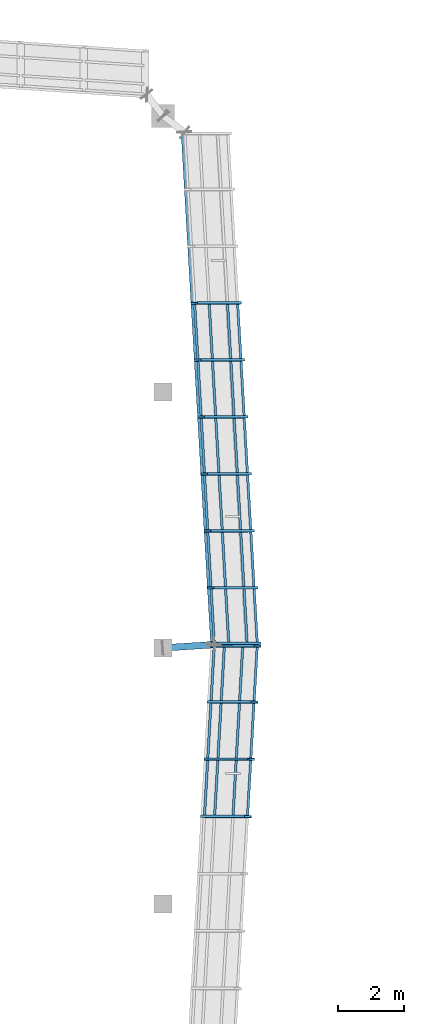
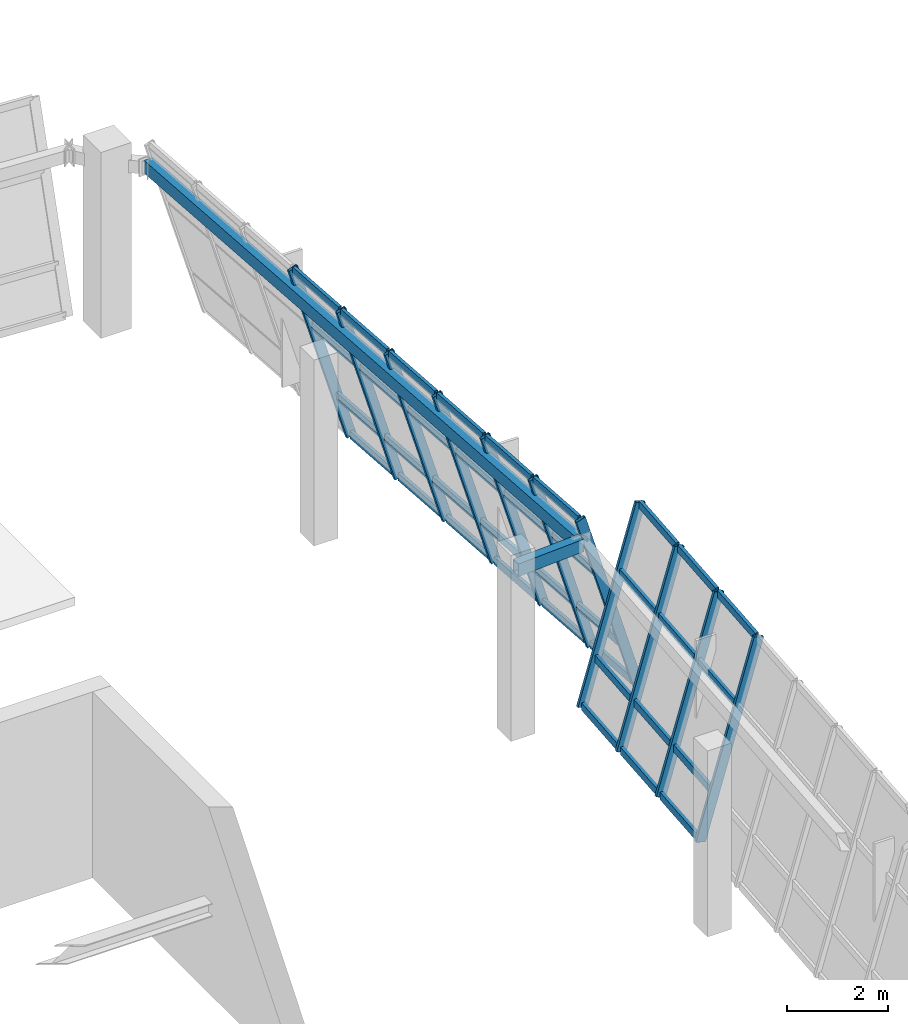
# One storey, part 23 of 67: 47 members, 2 beams, 2 elements without a shape of their own.
"""IFC4 building model written with IfcOpenShell, lengths in metres."""

from ifc_helpers import new_model, si_unit, direction, frame, origin, origin_2d, place, context, subcontext, project, spatial, hollow_rectangle, extrude, material, material_profile, profile_set, type_object, element, aggregate, save


model = new_model("IFC4")

# Units and contexts
model_context = context("Model", 3, precision=1e-05, world=origin(), true_north=direction((0.0, 1.0)))
body_context = subcontext(model_context, "Body", "Model", "MODEL_VIEW")
ifc_project = project(units=[si_unit("LENGTHUNIT", "METRE"), si_unit("AREAUNIT", "SQUARE_METRE"), si_unit("VOLUMEUNIT", "CUBIC_METRE"), si_unit("PLANEANGLEUNIT", "RADIAN"), si_unit("MASSUNIT", "GRAM", prefix="KILO")], contexts=[model_context])

# Site, building, storey
site_placement = place(None, origin())
site = spatial("IfcSite", under=ifc_project, at=site_placement, CompositionType="ELEMENT")
building_placement = place(site_placement, origin())
building = spatial("IfcBuilding", under=site, at=building_placement, Name="Pellamere Symphony Hall", CompositionType="ELEMENT")
storey_placement = place(building_placement, frame((0.0, 0.0, 19.5)))
storey = spatial("IfcBuildingStorey", under=building, at=storey_placement, Name="L04", CompositionType="ELEMENT", Elevation=19.5)

# Curtain wall, members
ifc_material_1 = material(Name="Thermally Broken Anodised Aluminium 6063-T6 Curtain Wall", Category="aluminium")
curtain_wall_type = type_object("IfcCurtainWallType", Name="Curtain Wall CW-01 (Tilted Faceted Crystal Low-Iron Curtain Wall)", PredefinedType="NOTDEFINED", material=ifc_material_1)
curtain_wall_1_placement = place(storey_placement, origin())
curtain_wall_1 = element("IfcCurtainWall", 1, at=curtain_wall_1_placement, inside=storey, type_object=curtain_wall_type, Name="Crystal Faceted Curtain Wall CW-CR08 (L04)", PredefinedType="NOTDEFINED")
ifc_material_2 = material(Name="Anodised Architectural Aluminium 6063-T6", Category="aluminium")
ifc_material_profile_1 = material_profile(ifc_material_2, hollow_rectangle(XDim=0.074951171875, YDim=0.219970703125, WallThickness=0.0048828125, at=origin_2d()), Name="ALU-M75X220X5")
ifc_profile_set_1 = profile_set([ifc_material_profile_1], Name="Anodised Architectural Aluminium 6063-T6")
member_type_1 = type_object("IfcMemberType", Name="Curtain Wall Mullion ML-01 ALU-M75X220X5", PredefinedType="MULLION", material=ifc_profile_set_1)
member_1_placement = place(storey_placement, frame((120.050048828125, 72.2666015625, 0.0), z_axis=(0.284024567884, 0.0, 0.95881700279), x_axis=(-0.054873944304, -0.99836096977, 0.016254976991)))
member_1 = element("IfcMember", 2, at=member_1_placement, type_object=member_type_1, Name="CW1-016 crystal mullion 7", PredefinedType="MULLION", context=body_context, shape_type="SweptSolid", body=[
    extrude(hollow_rectangle(XDim=0.074951171875, YDim=0.219970703125, WallThickness=0.0048828125, at=origin_2d()), origin(), (0.0, 0.0, 1.0), 4.693359375),
])
member_2_placement = place(storey_placement, frame((120.14990234375, 74.01123046875, 0.0), z_axis=(0.284024567884, 0.0, 0.95881700279), x_axis=(-0.054873944304, -0.99836096977, 0.016254976991)))
member_2 = element("IfcMember", 3, at=member_2_placement, type_object=member_type_1, Name="CW1-016 crystal mullion 8", PredefinedType="MULLION", context=body_context, shape_type="SweptSolid", body=[
    extrude(hollow_rectangle(XDim=0.074951171875, YDim=0.219970703125, WallThickness=0.0048828125, at=origin_2d()), origin(), (0.0, 0.0, 1.0), 4.693359375),
])
member_3_placement = place(storey_placement, frame((120.25, 75.755615234375, 0.0), z_axis=(0.284024567884, 0.0, 0.95881700279), x_axis=(-0.054873944304, -0.99836096977, 0.016254976991)))
member_3 = element("IfcMember", 4, at=member_3_placement, type_object=member_type_1, Name="CW1-016 crystal mullion 9", PredefinedType="MULLION", context=body_context, shape_type="SweptSolid", body=[
    extrude(hollow_rectangle(XDim=0.074951171875, YDim=0.219970703125, WallThickness=0.0048828125, at=origin_2d()), origin(), (0.0, 0.0, 1.0), 4.693359375),
])
member_4_placement = place(storey_placement, frame((120.347900390625, 77.462646484375, 0.0), z_axis=(0.284024567884, 0.0, 0.95881700279), x_axis=(-0.054873944304, -0.99836096977, 0.016254976991)))
member_4 = element("IfcMember", 5, at=member_4_placement, type_object=member_type_1, Name="CW1-016 crystal mullion 10", PredefinedType="MULLION", context=body_context, shape_type="SweptSolid", body=[
    extrude(hollow_rectangle(XDim=0.074951171875, YDim=0.219970703125, WallThickness=0.0048828125, at=origin_2d()), origin(), (0.0, 0.0, 1.0), 4.693359375),
])

curtain_wall_2_placement = place(storey_placement, origin())
curtain_wall_2 = element("IfcCurtainWall", 6, at=curtain_wall_2_placement, inside=storey, type_object=curtain_wall_type, Name="Crystal Faceted Curtain Wall CW-CR09 (L04)", PredefinedType="NOTDEFINED")
member_5_placement = place(storey_placement, frame((121.680908203125, 77.537353515625, 0.0), z_axis=(-0.284024567884, 0.0, 0.95881700279), x_axis=(-0.055224537145, 0.998339941676, -0.01635883099)))
member_5 = element("IfcMember", 7, at=member_5_placement, type_object=member_type_1, Name="CW1-021 crystal mullion 1", PredefinedType="MULLION", context=body_context, shape_type="SweptSolid", body=[
    extrude(hollow_rectangle(XDim=0.074951171875, YDim=0.219970703125, WallThickness=0.0048828125, at=origin_2d()), origin(), (0.0, 0.0, 1.0), 4.693359375),
])
member_6_placement = place(storey_placement, frame((121.5830078125, 79.2333984375, 0.0), z_axis=(-0.284024567884, 0.0, 0.95881700279), x_axis=(-0.055224537145, 0.998339941676, -0.01635883099)))
member_6 = element("IfcMember", 8, at=member_6_placement, type_object=member_type_1, Name="CW1-021 crystal mullion 2", PredefinedType="MULLION", context=body_context, shape_type="SweptSolid", body=[
    extrude(hollow_rectangle(XDim=0.074951171875, YDim=0.219970703125, WallThickness=0.0048828125, at=origin_2d()), origin(), (0.0, 0.0, 1.0), 4.693359375),
])
member_7_placement = place(storey_placement, frame((121.48291015625, 80.966552734375, 0.0), z_axis=(-0.284024567884, 0.0, 0.95881700279), x_axis=(-0.055224537145, 0.998339941676, -0.01635883099)))
member_7 = element("IfcMember", 9, at=member_7_placement, type_object=member_type_1, Name="CW1-021 crystal mullion 3", PredefinedType="MULLION", context=body_context, shape_type="SweptSolid", body=[
    extrude(hollow_rectangle(XDim=0.074951171875, YDim=0.219970703125, WallThickness=0.0048828125, at=origin_2d()), origin(), (0.0, 0.0, 1.0), 4.693359375),
])
member_8_placement = place(storey_placement, frame((121.383056640625, 82.699951171875, 0.0), z_axis=(-0.284024567884, 0.0, 0.95881700279), x_axis=(-0.055224537145, 0.998339941676, -0.01635883099)))
member_8 = element("IfcMember", 10, at=member_8_placement, type_object=member_type_1, Name="CW1-021 crystal mullion 4", PredefinedType="MULLION", context=body_context, shape_type="SweptSolid", body=[
    extrude(hollow_rectangle(XDim=0.074951171875, YDim=0.219970703125, WallThickness=0.0048828125, at=origin_2d()), origin(), (0.0, 0.0, 1.0), 4.693359375),
])
member_9_placement = place(storey_placement, frame((121.282958984375, 84.433349609375, 0.0), z_axis=(-0.284024567884, 0.0, 0.95881700279), x_axis=(-0.055224537145, 0.998339941676, -0.01635883099)))
member_9 = element("IfcMember", 11, at=member_9_placement, type_object=member_type_1, Name="CW1-021 crystal mullion 5", PredefinedType="MULLION", context=body_context, shape_type="SweptSolid", body=[
    extrude(hollow_rectangle(XDim=0.074951171875, YDim=0.219970703125, WallThickness=0.0048828125, at=origin_2d()), origin(), (0.0, 0.0, 1.0), 4.693359375),
])
member_10_placement = place(storey_placement, frame((121.18310546875, 86.166748046875, 0.0), z_axis=(-0.284024567884, 0.0, 0.95881700279), x_axis=(-0.055224537145, 0.998339941676, -0.01635883099)))
member_10 = element("IfcMember", 12, at=member_10_placement, type_object=member_type_1, Name="CW1-021 crystal mullion 6", PredefinedType="MULLION", context=body_context, shape_type="SweptSolid", body=[
    extrude(hollow_rectangle(XDim=0.074951171875, YDim=0.219970703125, WallThickness=0.0048828125, at=origin_2d()), origin(), (0.0, 0.0, 1.0), 4.693359375),
])
member_11_placement = place(storey_placement, frame((121.0830078125, 87.89990234375, 0.0), z_axis=(-0.284024567884, 0.0, 0.95881700279), x_axis=(-0.055224537145, 0.998339941676, -0.01635883099)))
member_11 = element("IfcMember", 13, at=member_11_placement, type_object=member_type_1, Name="CW1-021 crystal mullion 7", PredefinedType="MULLION", context=body_context, shape_type="SweptSolid", body=[
    extrude(hollow_rectangle(XDim=0.074951171875, YDim=0.219970703125, WallThickness=0.0048828125, at=origin_2d()), origin(), (0.0, 0.0, 1.0), 4.693359375),
])

# Member
ifc_material_profile_2 = material_profile(ifc_material_2, hollow_rectangle(XDim=0.074951171875, YDim=0.179931640625, WallThickness=0.0048828125, at=origin_2d()), Name="ALU-T75X180X5")
ifc_profile_set_2 = profile_set([ifc_material_profile_2], Name="Anodised Architectural Aluminium 6063-T6")
member_type_2 = type_object("IfcMemberType", Name="Curtain Wall Transom TR-01 ALU-T75X180X5", PredefinedType="USERDEFINED", material=ifc_profile_set_2)
member_12_placement = place(storey_placement, frame((120.062744140625, 72.30419921875, 0.035888671875), z_axis=(0.057232737422, 0.998360863499, 0.0), x_axis=(-0.998360863499, 0.057232737422, 0.0)))
member_12 = element("IfcMember", 14, at=member_12_placement, type_object=member_type_2, Name="CW1-016 crystal transom 7.1", ObjectType="TRANSOM", PredefinedType="USERDEFINED", context=body_context, shape_type="SweptSolid", body=[
    extrude(hollow_rectangle(XDim=0.074951171875, YDim=0.179931640625, WallThickness=0.0048828125, at=origin_2d()), origin(), (0.0, 0.0, 1.0), 1.672119140625),
])

member_13_placement = place(storey_placement, frame((120.3720703125, 72.30419921875, 1.080078125), z_axis=(0.057232737422, 0.998360863499, 0.0), x_axis=(-0.998360863499, 0.057232737422, 0.0)))
member_13 = element("IfcMember", 15, at=member_13_placement, type_object=member_type_2, Name="CW1-016 crystal transom 7.2", ObjectType="TRANSOM", PredefinedType="USERDEFINED", context=body_context, shape_type="SweptSolid", body=[
    extrude(hollow_rectangle(XDim=0.074951171875, YDim=0.179931640625, WallThickness=0.0048828125, at=origin_2d()), origin(), (0.0, 0.0, 1.0), 1.672119140625),
])

member_14_placement = place(storey_placement, frame((120.931884765625, 72.30419921875, 2.969970703125), z_axis=(0.057232737422, 0.998360863499, 0.0), x_axis=(-0.998360863499, 0.057232737422, 0.0)))
member_14 = element("IfcMember", 16, at=member_14_placement, type_object=member_type_2, Name="CW1-016 crystal transom 7.3", ObjectType="TRANSOM", PredefinedType="USERDEFINED", context=body_context, shape_type="SweptSolid", body=[
    extrude(hollow_rectangle(XDim=0.074951171875, YDim=0.179931640625, WallThickness=0.0048828125, at=origin_2d()), origin(), (0.0, 0.0, 1.0), 1.672119140625),
])

member_15_placement = place(storey_placement, frame((121.37451171875, 72.30419921875, 4.464111328125), z_axis=(0.057232737422, 0.998360863499, 0.0), x_axis=(-0.998360863499, 0.057232737422, 0.0)))
member_15 = element("IfcMember", 17, at=member_15_placement, type_object=member_type_2, Name="CW1-016 crystal transom 7.4", ObjectType="TRANSOM", PredefinedType="USERDEFINED", context=body_context, shape_type="SweptSolid", body=[
    extrude(hollow_rectangle(XDim=0.074951171875, YDim=0.179931640625, WallThickness=0.0048828125, at=origin_2d()), origin(), (0.0, 0.0, 1.0), 1.672119140625),
])

member_16_placement = place(storey_placement, frame((120.162841796875, 74.048583984375, 0.035888671875), z_axis=(0.057232737422, 0.998360863499, 0.0), x_axis=(-0.998360863499, 0.057232737422, 0.0)))
member_16 = element("IfcMember", 18, at=member_16_placement, type_object=member_type_2, Name="CW1-016 crystal transom 8.1", ObjectType="TRANSOM", PredefinedType="USERDEFINED", context=body_context, shape_type="SweptSolid", body=[
    extrude(hollow_rectangle(XDim=0.074951171875, YDim=0.179931640625, WallThickness=0.0048828125, at=origin_2d()), origin(), (0.0, 0.0, 1.0), 1.672119140625),
])

member_17_placement = place(storey_placement, frame((120.47216796875, 74.048583984375, 1.080078125), z_axis=(0.057232737422, 0.998360863499, 0.0), x_axis=(-0.998360863499, 0.057232737422, 0.0)))
member_17 = element("IfcMember", 19, at=member_17_placement, type_object=member_type_2, Name="CW1-016 crystal transom 8.2", ObjectType="TRANSOM", PredefinedType="USERDEFINED", context=body_context, shape_type="SweptSolid", body=[
    extrude(hollow_rectangle(XDim=0.074951171875, YDim=0.179931640625, WallThickness=0.0048828125, at=origin_2d()), origin(), (0.0, 0.0, 1.0), 1.672119140625),
])

member_18_placement = place(storey_placement, frame((121.031982421875, 74.048583984375, 2.969970703125), z_axis=(0.057232737422, 0.998360863499, 0.0), x_axis=(-0.998360863499, 0.057232737422, 0.0)))
member_18 = element("IfcMember", 20, at=member_18_placement, type_object=member_type_2, Name="CW1-016 crystal transom 8.3", ObjectType="TRANSOM", PredefinedType="USERDEFINED", context=body_context, shape_type="SweptSolid", body=[
    extrude(hollow_rectangle(XDim=0.074951171875, YDim=0.179931640625, WallThickness=0.0048828125, at=origin_2d()), origin(), (0.0, 0.0, 1.0), 1.672119140625),
])

member_19_placement = place(storey_placement, frame((121.474609375, 74.048583984375, 4.464111328125), z_axis=(0.057232737422, 0.998360863499, 0.0), x_axis=(-0.998360863499, 0.057232737422, 0.0)))
member_19 = element("IfcMember", 21, at=member_19_placement, type_object=member_type_2, Name="CW1-016 crystal transom 8.4", ObjectType="TRANSOM", PredefinedType="USERDEFINED", context=body_context, shape_type="SweptSolid", body=[
    extrude(hollow_rectangle(XDim=0.074951171875, YDim=0.179931640625, WallThickness=0.0048828125, at=origin_2d()), origin(), (0.0, 0.0, 1.0), 1.672119140625),
])

member_20_placement = place(storey_placement, frame((120.2626953125, 75.79296875, 0.035888671875), z_axis=(0.057347500779, 0.998354277877, 0.0), x_axis=(-0.998354277877, 0.057347500779, 0.0)))
member_20 = element("IfcMember", 22, at=member_20_placement, type_object=member_type_2, Name="CW1-016 crystal transom 9.1", ObjectType="TRANSOM", PredefinedType="USERDEFINED", context=body_context, shape_type="SweptSolid", body=[
    extrude(hollow_rectangle(XDim=0.074951171875, YDim=0.179931640625, WallThickness=0.0048828125, at=origin_2d()), origin(), (0.0, 0.0, 1.0), 1.634765625),
])

member_21_placement = place(storey_placement, frame((120.572021484375, 75.79296875, 1.080078125), z_axis=(0.057198647566, 0.998362817175, 0.0), x_axis=(-0.998362817175, 0.057198647566, 0.0)))
member_21 = element("IfcMember", 23, at=member_21_placement, type_object=member_type_2, Name="CW1-016 crystal transom 9.2", ObjectType="TRANSOM", PredefinedType="USERDEFINED", context=body_context, shape_type="SweptSolid", body=[
    extrude(hollow_rectangle(XDim=0.074951171875, YDim=0.179931640625, WallThickness=0.0048828125, at=origin_2d()), origin(), (0.0, 0.0, 1.0), 1.634765625),
])

member_22_placement = place(storey_placement, frame((121.1318359375, 75.79296875, 2.969970703125), z_axis=(0.057347500779, 0.998354277877, 0.0), x_axis=(-0.998354277877, 0.057347500779, 0.0)))
member_22 = element("IfcMember", 24, at=member_22_placement, type_object=member_type_2, Name="CW1-016 crystal transom 9.3", ObjectType="TRANSOM", PredefinedType="USERDEFINED", context=body_context, shape_type="SweptSolid", body=[
    extrude(hollow_rectangle(XDim=0.074951171875, YDim=0.179931640625, WallThickness=0.0048828125, at=origin_2d()), origin(), (0.0, 0.0, 1.0), 1.634765625),
])

member_23_placement = place(storey_placement, frame((121.574462890625, 75.79296875, 4.464111328125), z_axis=(0.057198647566, 0.998362817175, 0.0), x_axis=(-0.998362817175, 0.057198647566, 0.0)))
member_23 = element("IfcMember", 25, at=member_23_placement, type_object=member_type_2, Name="CW1-016 crystal transom 9.4", ObjectType="TRANSOM", PredefinedType="USERDEFINED", context=body_context, shape_type="SweptSolid", body=[
    extrude(hollow_rectangle(XDim=0.074951171875, YDim=0.179931640625, WallThickness=0.0048828125, at=origin_2d()), origin(), (0.0, 0.0, 1.0), 1.634765625),
])

aggregate(curtain_wall_1, [member_1, member_2, member_3, member_4, member_12, member_13, member_14, member_15, member_16, member_17, member_18, member_19, member_20, member_21, member_22, member_23])

member_24_placement = place(storey_placement, frame((121.66796875, 77.574951171875, 0.035888671875), z_axis=(-0.057593652861, 0.998340107954, 0.0), x_axis=(-0.998340107954, -0.057593652861, 0.0)))
member_24 = element("IfcMember", 26, at=member_24_placement, type_object=member_type_2, Name="CW1-021 crystal transom 1.1", ObjectType="TRANSOM", PredefinedType="USERDEFINED", context=body_context, shape_type="SweptSolid", body=[
    extrude(hollow_rectangle(XDim=0.074951171875, YDim=0.179931640625, WallThickness=0.0048828125, at=origin_2d()), origin(), (0.0, 0.0, 1.0), 1.62353515625),
])

member_25_placement = place(storey_placement, frame((121.358642578125, 77.574951171875, 1.080078125), z_axis=(-0.057593652861, 0.998340107954, 0.0), x_axis=(-0.998340107954, -0.057593652861, 0.0)))
member_25 = element("IfcMember", 27, at=member_25_placement, type_object=member_type_2, Name="CW1-021 crystal transom 1.2", ObjectType="TRANSOM", PredefinedType="USERDEFINED", context=body_context, shape_type="SweptSolid", body=[
    extrude(hollow_rectangle(XDim=0.074951171875, YDim=0.179931640625, WallThickness=0.0048828125, at=origin_2d()), origin(), (0.0, 0.0, 1.0), 1.62353515625),
])

member_26_placement = place(storey_placement, frame((120.798828125, 77.574951171875, 2.969970703125), z_axis=(-0.057593652861, 0.998340107954, 0.0), x_axis=(-0.998340107954, -0.057593652861, 0.0)))
member_26 = element("IfcMember", 28, at=member_26_placement, type_object=member_type_2, Name="CW1-021 crystal transom 1.3", ObjectType="TRANSOM", PredefinedType="USERDEFINED", context=body_context, shape_type="SweptSolid", body=[
    extrude(hollow_rectangle(XDim=0.074951171875, YDim=0.179931640625, WallThickness=0.0048828125, at=origin_2d()), origin(), (0.0, 0.0, 1.0), 1.62353515625),
])

member_27_placement = place(storey_placement, frame((120.3564453125, 77.574951171875, 4.464111328125), z_axis=(-0.057743527187, 0.998331450505, 0.0), x_axis=(-0.998331450505, -0.057743527187, 0.0)))
member_27 = element("IfcMember", 29, at=member_27_placement, type_object=member_type_2, Name="CW1-021 crystal transom 1.4", ObjectType="TRANSOM", PredefinedType="USERDEFINED", context=body_context, shape_type="SweptSolid", body=[
    extrude(hollow_rectangle(XDim=0.074951171875, YDim=0.179931640625, WallThickness=0.0048828125, at=origin_2d()), origin(), (0.0, 0.0, 1.0), 1.62353515625),
])

member_28_placement = place(storey_placement, frame((121.570068359375, 79.270751953125, 0.035888671875), z_axis=(-0.057464139598, 0.998347571069, 0.0), x_axis=(-0.998347571069, -0.057464139598, 0.0)))
member_28 = element("IfcMember", 30, at=member_28_placement, type_object=member_type_2, Name="CW1-021 crystal transom 2.1", ObjectType="TRANSOM", PredefinedType="USERDEFINED", context=body_context, shape_type="SweptSolid", body=[
    extrude(hollow_rectangle(XDim=0.074951171875, YDim=0.179931640625, WallThickness=0.0048828125, at=origin_2d()), origin(), (0.0, 0.0, 1.0), 1.6611328125),
])

member_29_placement = place(storey_placement, frame((121.260986328125, 79.270751953125, 1.080078125), z_axis=(-0.057610619545, 0.998339129012, 0.0), x_axis=(-0.998339129012, -0.057610619545, 0.0)))
member_29 = element("IfcMember", 31, at=member_29_placement, type_object=member_type_2, Name="CW1-021 crystal transom 2.2", ObjectType="TRANSOM", PredefinedType="USERDEFINED", context=body_context, shape_type="SweptSolid", body=[
    extrude(hollow_rectangle(XDim=0.074951171875, YDim=0.179931640625, WallThickness=0.0048828125, at=origin_2d()), origin(), (0.0, 0.0, 1.0), 1.6611328125),
])

member_30_placement = place(storey_placement, frame((120.701171875, 79.270751953125, 2.969970703125), z_axis=(-0.057610619545, 0.998339129012, 0.0), x_axis=(-0.998339129012, -0.057610619545, 0.0)))
member_30 = element("IfcMember", 32, at=member_30_placement, type_object=member_type_2, Name="CW1-021 crystal transom 2.3", ObjectType="TRANSOM", PredefinedType="USERDEFINED", context=body_context, shape_type="SweptSolid", body=[
    extrude(hollow_rectangle(XDim=0.074951171875, YDim=0.179931640625, WallThickness=0.0048828125, at=origin_2d()), origin(), (0.0, 0.0, 1.0), 1.6611328125),
])

member_31_placement = place(storey_placement, frame((120.258544921875, 79.270751953125, 4.464111328125), z_axis=(-0.057610619545, 0.998339129012, 0.0), x_axis=(-0.998339129012, -0.057610619545, 0.0)))
member_31 = element("IfcMember", 33, at=member_31_placement, type_object=member_type_2, Name="CW1-021 crystal transom 2.4", ObjectType="TRANSOM", PredefinedType="USERDEFINED", context=body_context, shape_type="SweptSolid", body=[
    extrude(hollow_rectangle(XDim=0.074951171875, YDim=0.179931640625, WallThickness=0.0048828125, at=origin_2d()), origin(), (0.0, 0.0, 1.0), 1.6611328125),
])

member_32_placement = place(storey_placement, frame((121.47021484375, 81.004150390625, 0.035888671875), z_axis=(-0.057610619545, 0.998339129012, 0.0), x_axis=(-0.998339129012, -0.057610619545, 0.0)))
member_32 = element("IfcMember", 34, at=member_32_placement, type_object=member_type_2, Name="CW1-021 crystal transom 3.1", ObjectType="TRANSOM", PredefinedType="USERDEFINED", context=body_context, shape_type="SweptSolid", body=[
    extrude(hollow_rectangle(XDim=0.074951171875, YDim=0.179931640625, WallThickness=0.0048828125, at=origin_2d()), origin(), (0.0, 0.0, 1.0), 1.6611328125),
])

member_33_placement = place(storey_placement, frame((121.160888671875, 81.004150390625, 1.080078125), z_axis=(-0.057610619545, 0.998339129012, 0.0), x_axis=(-0.998339129012, -0.057610619545, 0.0)))
member_33 = element("IfcMember", 35, at=member_33_placement, type_object=member_type_2, Name="CW1-021 crystal transom 3.2", ObjectType="TRANSOM", PredefinedType="USERDEFINED", context=body_context, shape_type="SweptSolid", body=[
    extrude(hollow_rectangle(XDim=0.074951171875, YDim=0.179931640625, WallThickness=0.0048828125, at=origin_2d()), origin(), (0.0, 0.0, 1.0), 1.6611328125),
])

member_34_placement = place(storey_placement, frame((120.60107421875, 81.004150390625, 2.969970703125), z_axis=(-0.057610619545, 0.998339129012, 0.0), x_axis=(-0.998339129012, -0.057610619545, 0.0)))
member_34 = element("IfcMember", 36, at=member_34_placement, type_object=member_type_2, Name="CW1-021 crystal transom 3.3", ObjectType="TRANSOM", PredefinedType="USERDEFINED", context=body_context, shape_type="SweptSolid", body=[
    extrude(hollow_rectangle(XDim=0.074951171875, YDim=0.179931640625, WallThickness=0.0048828125, at=origin_2d()), origin(), (0.0, 0.0, 1.0), 1.6611328125),
])

member_35_placement = place(storey_placement, frame((120.158447265625, 81.004150390625, 4.464111328125), z_axis=(-0.057610619545, 0.998339129012, 0.0), x_axis=(-0.998339129012, -0.057610619545, 0.0)))
member_35 = element("IfcMember", 37, at=member_35_placement, type_object=member_type_2, Name="CW1-021 crystal transom 3.4", ObjectType="TRANSOM", PredefinedType="USERDEFINED", context=body_context, shape_type="SweptSolid", body=[
    extrude(hollow_rectangle(XDim=0.074951171875, YDim=0.179931640625, WallThickness=0.0048828125, at=origin_2d()), origin(), (0.0, 0.0, 1.0), 1.6611328125),
])

member_36_placement = place(storey_placement, frame((121.3701171875, 82.737548828125, 0.035888671875), z_axis=(-0.057610619545, 0.998339129012, 0.0), x_axis=(-0.998339129012, -0.057610619545, 0.0)))
member_36 = element("IfcMember", 38, at=member_36_placement, type_object=member_type_2, Name="CW1-021 crystal transom 4.1", ObjectType="TRANSOM", PredefinedType="USERDEFINED", context=body_context, shape_type="SweptSolid", body=[
    extrude(hollow_rectangle(XDim=0.074951171875, YDim=0.179931640625, WallThickness=0.0048828125, at=origin_2d()), origin(), (0.0, 0.0, 1.0), 1.6611328125),
])

member_37_placement = place(storey_placement, frame((121.06103515625, 82.737548828125, 1.080078125), z_axis=(-0.057610619545, 0.998339129012, 0.0), x_axis=(-0.998339129012, -0.057610619545, 0.0)))
member_37 = element("IfcMember", 39, at=member_37_placement, type_object=member_type_2, Name="CW1-021 crystal transom 4.2", ObjectType="TRANSOM", PredefinedType="USERDEFINED", context=body_context, shape_type="SweptSolid", body=[
    extrude(hollow_rectangle(XDim=0.074951171875, YDim=0.179931640625, WallThickness=0.0048828125, at=origin_2d()), origin(), (0.0, 0.0, 1.0), 1.6611328125),
])

member_38_placement = place(storey_placement, frame((120.5009765625, 82.737548828125, 2.969970703125), z_axis=(-0.057610619545, 0.998339129012, 0.0), x_axis=(-0.998339129012, -0.057610619545, 0.0)))
member_38 = element("IfcMember", 40, at=member_38_placement, type_object=member_type_2, Name="CW1-021 crystal transom 4.3", ObjectType="TRANSOM", PredefinedType="USERDEFINED", context=body_context, shape_type="SweptSolid", body=[
    extrude(hollow_rectangle(XDim=0.074951171875, YDim=0.179931640625, WallThickness=0.0048828125, at=origin_2d()), origin(), (0.0, 0.0, 1.0), 1.6611328125),
])

member_39_placement = place(storey_placement, frame((120.05859375, 82.737548828125, 4.464111328125), z_axis=(-0.057610619545, 0.998339129012, 0.0), x_axis=(-0.998339129012, -0.057610619545, 0.0)))
member_39 = element("IfcMember", 41, at=member_39_placement, type_object=member_type_2, Name="CW1-021 crystal transom 4.4", ObjectType="TRANSOM", PredefinedType="USERDEFINED", context=body_context, shape_type="SweptSolid", body=[
    extrude(hollow_rectangle(XDim=0.074951171875, YDim=0.179931640625, WallThickness=0.0048828125, at=origin_2d()), origin(), (0.0, 0.0, 1.0), 1.6611328125),
])

member_40_placement = place(storey_placement, frame((121.270263671875, 84.470703125, 0.035888671875), z_axis=(-0.057610619545, 0.998339129012, 0.0), x_axis=(-0.998339129012, -0.057610619545, 0.0)))
member_40 = element("IfcMember", 42, at=member_40_placement, type_object=member_type_2, Name="CW1-021 crystal transom 5.1", ObjectType="TRANSOM", PredefinedType="USERDEFINED", context=body_context, shape_type="SweptSolid", body=[
    extrude(hollow_rectangle(XDim=0.074951171875, YDim=0.179931640625, WallThickness=0.0048828125, at=origin_2d()), origin(), (0.0, 0.0, 1.0), 1.6611328125),
])

member_41_placement = place(storey_placement, frame((120.9609375, 84.470703125, 1.080078125), z_axis=(-0.057610619545, 0.998339129012, 0.0), x_axis=(-0.998339129012, -0.057610619545, 0.0)))
member_41 = element("IfcMember", 43, at=member_41_placement, type_object=member_type_2, Name="CW1-021 crystal transom 5.2", ObjectType="TRANSOM", PredefinedType="USERDEFINED", context=body_context, shape_type="SweptSolid", body=[
    extrude(hollow_rectangle(XDim=0.074951171875, YDim=0.179931640625, WallThickness=0.0048828125, at=origin_2d()), origin(), (0.0, 0.0, 1.0), 1.6611328125),
])

member_42_placement = place(storey_placement, frame((120.401123046875, 84.470703125, 2.969970703125), z_axis=(-0.057610619545, 0.998339129012, 0.0), x_axis=(-0.998339129012, -0.057610619545, 0.0)))
member_42 = element("IfcMember", 44, at=member_42_placement, type_object=member_type_2, Name="CW1-021 crystal transom 5.3", ObjectType="TRANSOM", PredefinedType="USERDEFINED", context=body_context, shape_type="SweptSolid", body=[
    extrude(hollow_rectangle(XDim=0.074951171875, YDim=0.179931640625, WallThickness=0.0048828125, at=origin_2d()), origin(), (0.0, 0.0, 1.0), 1.6611328125),
])

member_43_placement = place(storey_placement, frame((119.95849609375, 84.470703125, 4.464111328125), z_axis=(-0.057610619545, 0.998339129012, 0.0), x_axis=(-0.998339129012, -0.057610619545, 0.0)))
member_43 = element("IfcMember", 45, at=member_43_placement, type_object=member_type_2, Name="CW1-021 crystal transom 5.4", ObjectType="TRANSOM", PredefinedType="USERDEFINED", context=body_context, shape_type="SweptSolid", body=[
    extrude(hollow_rectangle(XDim=0.074951171875, YDim=0.179931640625, WallThickness=0.0048828125, at=origin_2d()), origin(), (0.0, 0.0, 1.0), 1.6611328125),
])

member_44_placement = place(storey_placement, frame((121.170166015625, 86.2041015625, 0.035888671875), z_axis=(-0.057610619545, 0.998339129012, 0.0), x_axis=(-0.998339129012, -0.057610619545, 0.0)))
member_44 = element("IfcMember", 46, at=member_44_placement, type_object=member_type_2, Name="CW1-021 crystal transom 6.1", ObjectType="TRANSOM", PredefinedType="USERDEFINED", context=body_context, shape_type="SweptSolid", body=[
    extrude(hollow_rectangle(XDim=0.074951171875, YDim=0.179931640625, WallThickness=0.0048828125, at=origin_2d()), origin(), (0.0, 0.0, 1.0), 1.6611328125),
])

member_45_placement = place(storey_placement, frame((120.86083984375, 86.2041015625, 1.080078125), z_axis=(-0.057610619545, 0.998339129012, 0.0), x_axis=(-0.998339129012, -0.057610619545, 0.0)))
member_45 = element("IfcMember", 47, at=member_45_placement, type_object=member_type_2, Name="CW1-021 crystal transom 6.2", ObjectType="TRANSOM", PredefinedType="USERDEFINED", context=body_context, shape_type="SweptSolid", body=[
    extrude(hollow_rectangle(XDim=0.074951171875, YDim=0.179931640625, WallThickness=0.0048828125, at=origin_2d()), origin(), (0.0, 0.0, 1.0), 1.6611328125),
])

member_46_placement = place(storey_placement, frame((120.301025390625, 86.2041015625, 2.969970703125), z_axis=(-0.057610619545, 0.998339129012, 0.0), x_axis=(-0.998339129012, -0.057610619545, 0.0)))
member_46 = element("IfcMember", 48, at=member_46_placement, type_object=member_type_2, Name="CW1-021 crystal transom 6.3", ObjectType="TRANSOM", PredefinedType="USERDEFINED", context=body_context, shape_type="SweptSolid", body=[
    extrude(hollow_rectangle(XDim=0.074951171875, YDim=0.179931640625, WallThickness=0.0048828125, at=origin_2d()), origin(), (0.0, 0.0, 1.0), 1.6611328125),
])

member_47_placement = place(storey_placement, frame((119.8583984375, 86.2041015625, 4.464111328125), z_axis=(-0.057610619545, 0.998339129012, 0.0), x_axis=(-0.998339129012, -0.057610619545, 0.0)))
member_47 = element("IfcMember", 49, at=member_47_placement, type_object=member_type_2, Name="CW1-021 crystal transom 6.4", ObjectType="TRANSOM", PredefinedType="USERDEFINED", context=body_context, shape_type="SweptSolid", body=[
    extrude(hollow_rectangle(XDim=0.074951171875, YDim=0.179931640625, WallThickness=0.0048828125, at=origin_2d()), origin(), (0.0, 0.0, 1.0), 1.6611328125),
])

aggregate(curtain_wall_2, [member_5, member_6, member_7, member_8, member_9, member_10, member_11, member_24, member_25, member_26, member_27, member_28, member_29, member_30, member_31, member_32, member_33, member_34, member_35, member_36, member_37, member_38, member_39, member_40, member_41, member_42, member_43, member_44, member_45, member_46, member_47])

# Beams
ifc_material_3 = material(Name="Steel CSA G40.21 350W", Category="steel")
ifc_material_profile_3 = material_profile(ifc_material_3, hollow_rectangle(XDim=0.203125, YDim=0.3046875, WallThickness=0.0126953125, at=origin_2d()), Name="HSS305X203X13")
ifc_profile_set_3 = profile_set([ifc_material_profile_3], Name="Steel CSA G40.21 350W")
beam_type = type_object("IfcBeamType", Name="Steel Spandrel SB-26 HSS305X203X13", PredefinedType="SPANDREL", material=ifc_profile_set_3)
beam_1_placement = place(storey_placement, frame((118.800048828125, 77.39990234375, 3.93994140625), z_axis=(0.997921398046, 0.064442868672, 0.0), x_axis=(-0.064442868672, 0.997921398046, 0.0)))
element("IfcBeam", 50, at=beam_1_placement, inside=storey, type_object=beam_type, Name="Crystal Ring Outrigger Bracket 037 (L04)", PredefinedType="SPANDREL", context=body_context, shape_type="SweptSolid", body=[
    extrude(hollow_rectangle(XDim=0.203125, YDim=0.3046875, WallThickness=0.0126953125, at=origin_2d()), origin(), (0.0, 0.0, 1.0), 1.55322265625),
])
beam_2_placement = place(storey_placement, frame((120.35009765625, 77.5, 3.93994140625), z_axis=(-0.057605519012, 0.998339423332, 0.0), x_axis=(-0.998339423332, -0.057605519012, 0.0)))
element("IfcBeam", 51, at=beam_2_placement, inside=storey, type_object=beam_type, Name="Crystal Perimeter Ring Beam CW-CR09 (L04)", PredefinedType="SPANDREL", context=body_context, shape_type="SweptSolid", body=[
    extrude(hollow_rectangle(XDim=0.203125, YDim=0.3046875, WallThickness=0.0126953125, at=origin_2d()), origin(), (0.0, 0.0, 1.0), 15.6259765625),
])

save(model, "model.ifc")
